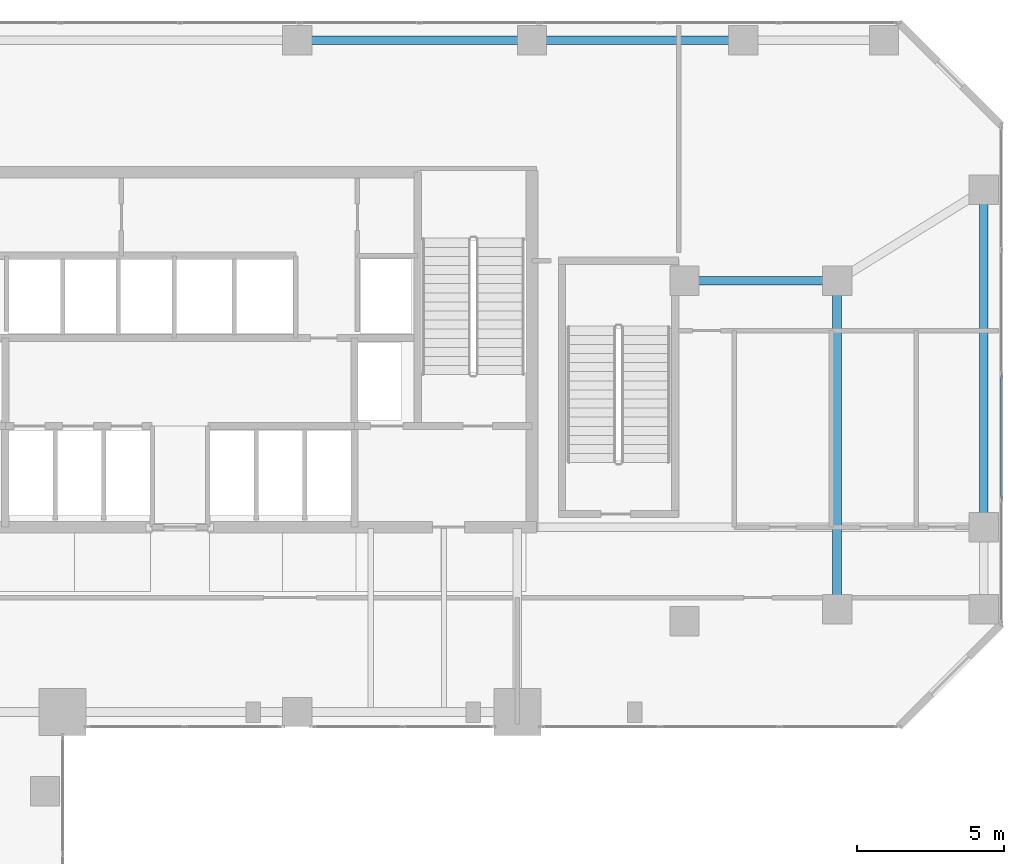
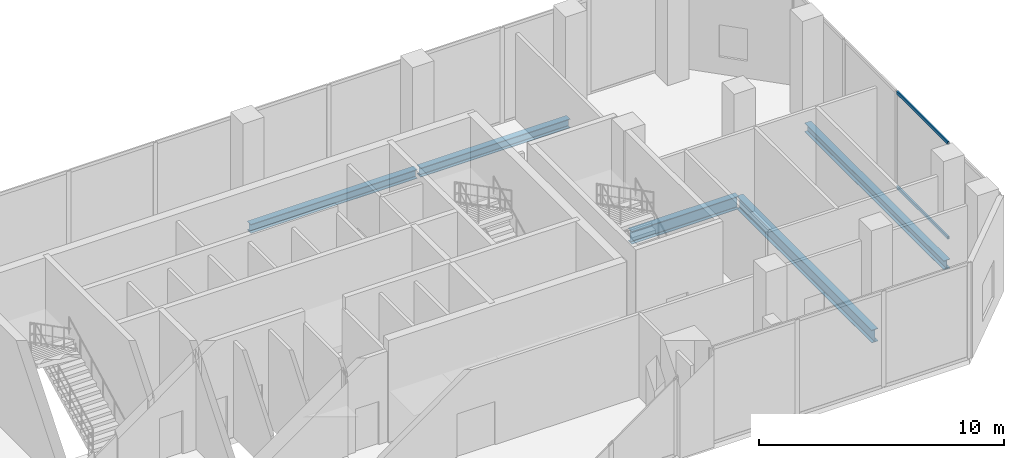
# One storey, part 16 of 24: 5 beams, 2 members, 1 element without a shape of its own.
"""IFC4 building model written with IfcOpenShell, lengths in metres."""

from ifc_helpers import new_model, si_unit, direction, frame, origin, origin_2d, place, context, subcontext, project, spatial, hollow_rectangle, i_section, extrude, material, layer, layer_set, material_profile, profile_set, type_object, element, aggregate, save


model = new_model("IFC4")

# Units and contexts
model_context = context("Model", 3, precision=1e-05, world=origin(), true_north=direction((0.0, 1.0)))
body_context = subcontext(model_context, "Body", "Model", "MODEL_VIEW")
ifc_project = project(units=[si_unit("LENGTHUNIT", "METRE"), si_unit("AREAUNIT", "SQUARE_METRE"), si_unit("VOLUMEUNIT", "CUBIC_METRE"), si_unit("PLANEANGLEUNIT", "RADIAN"), si_unit("MASSUNIT", "GRAM", prefix="KILO")], contexts=[model_context])

# Site, building, storey
site_placement = place(None, origin())
site = spatial("IfcSite", under=ifc_project, at=site_placement, CompositionType="ELEMENT")
building_placement = place(site_placement, origin())
building = spatial("IfcBuilding", under=site, at=building_placement, Name="Catumbela Crestline Tower", CompositionType="ELEMENT")
storey_placement = place(building_placement, frame((0.0, 0.0, 6.0)))
storey = spatial("IfcBuildingStorey", under=building, at=storey_placement, Name="L01", CompositionType="ELEMENT", Elevation=6.0)

# Beams
ifc_material_1 = material(Name="Structural steel S355J2", Category="steel")
ifc_material_profile_1 = material_profile(ifc_material_1, i_section(OverallWidth=0.3, OverallDepth=0.64, WebThickness=0.0135, FlangeThickness=0.026, FilletRadius=0.027, at=origin_2d()), Name="HEA 650")
ifc_profile_set_1 = profile_set([ifc_material_profile_1], Name="Structural steel S355J2")
beam_type_1 = type_object("IfcBeamType", Name="BG-HEA650", PredefinedType="BEAM", material=ifc_profile_set_1)
beam_1_placement = place(storey_placement, frame((45.28, 39.2, -0.64), z_axis=(1.0, 0.0, 0.0), x_axis=(0.0, 1.0, 0.0)))
element("IfcBeam", 1, at=beam_1_placement, inside=storey, type_object=beam_type_1, Name="L01 Beam BM-L01-N15", PredefinedType="BEAM", context=body_context, shape_type="SweptSolid", body=[
    extrude(i_section(OverallWidth=0.3, OverallDepth=0.64, WebThickness=0.0135, FlangeThickness=0.026, FilletRadius=0.027, at=origin_2d()), origin(), (0.0, 0.0, 1.0), 5.04),
])
beam_2_placement = place(storey_placement, frame((50.4, 28.08, -0.64), z_axis=(0.0, 1.0, 0.0), x_axis=(-1.0, 0.0, 0.0)))
element("IfcBeam", 2, at=beam_2_placement, inside=storey, type_object=beam_type_1, Name="L01 Beam BM-L01-SN34", PredefinedType="BEAM", context=body_context, shape_type="SweptSolid", body=[
    extrude(i_section(OverallWidth=0.3, OverallDepth=0.64, WebThickness=0.0135, FlangeThickness=0.026, FilletRadius=0.027, at=origin_2d()), origin(), (0.0, 0.0, 1.0), 11.04),
])
ifc_material_profile_2 = material_profile(ifc_material_1, i_section(OverallWidth=0.3, OverallDepth=0.45, WebThickness=0.014, FlangeThickness=0.026, FilletRadius=0.027, at=origin_2d()), Name="HEB 450")
ifc_profile_set_2 = profile_set([ifc_material_profile_2], Name="Structural steel S355J2")
beam_type_2 = type_object("IfcBeamType", Name="BS-HEB450", PredefinedType="SPANDREL", material=ifc_profile_set_2)
beam_3_placement = place(storey_placement, frame((32.08, 47.4, -0.545), z_axis=(1.0, 0.0, 0.0), x_axis=(0.0, 1.0, 0.0)))
element("IfcBeam", 3, at=beam_3_placement, inside=storey, type_object=beam_type_2, Name="L01 Spandrel SP-L01-NF20", PredefinedType="SPANDREL", context=body_context, shape_type="SweptSolid", body=[
    extrude(i_section(OverallWidth=0.3, OverallDepth=0.45, WebThickness=0.014, FlangeThickness=0.026, FilletRadius=0.027, at=origin_2d()), origin(), (0.0, 0.0, 1.0), 7.84),
])
beam_4_placement = place(storey_placement, frame((40.08, 47.4, -0.545), z_axis=(1.0, 0.0, 0.0), x_axis=(0.0, 1.0, 0.0)))
element("IfcBeam", 4, at=beam_4_placement, inside=storey, type_object=beam_type_2, Name="L01 Spandrel SP-L01-NF21", PredefinedType="SPANDREL", context=body_context, shape_type="SweptSolid", body=[
    extrude(i_section(OverallWidth=0.3, OverallDepth=0.45, WebThickness=0.014, FlangeThickness=0.026, FilletRadius=0.027, at=origin_2d()), origin(), (0.0, 0.0, 1.0), 7.04),
])
beam_5_placement = place(storey_placement, frame((55.4, 30.88, -0.545), z_axis=(0.0, 1.0, 0.0), x_axis=(-1.0, 0.0, 0.0)))
element("IfcBeam", 5, at=beam_5_placement, inside=storey, type_object=beam_type_2, Name="L01 Spandrel SP-L01-SN36", PredefinedType="SPANDREL", context=body_context, shape_type="SweptSolid", body=[
    extrude(i_section(OverallWidth=0.3, OverallDepth=0.45, WebThickness=0.014, FlangeThickness=0.026, FilletRadius=0.027, at=origin_2d()), origin(), (0.0, 0.0, 1.0), 11.34),
])

# Curtain wall, members
ifc_material_2 = material(Name="Aluminium alloy AW-6060-T66", Category="aluminium")
ifc_layer = layer(ifc_material_2, 0.18, Name="Aluminium alloy AW-6060-T66")
ifc_layer_set = layer_set([ifc_layer], Name="Aluminium alloy AW-6060-T66")
curtain_wall_type = type_object("IfcCurtainWallType", Name="CWS-POD", PredefinedType="USERDEFINED", material=ifc_layer_set)
curtain_wall_placement = place(storey_placement, origin())
curtain_wall = element("IfcCurtainWall", 6, at=curtain_wall_placement, inside=storey, type_object=curtain_wall_type, Name="L01 Stick Curtain Wall CW-L01-E5S1", ObjectType="STICK", PredefinedType="USERDEFINED")
ifc_material_profile_3 = material_profile(ifc_material_2, hollow_rectangle(XDim=0.075, YDim=0.15, WallThickness=0.0045, at=origin_2d()), Name="ALU 150x75x4.5")
ifc_profile_set_3 = profile_set([ifc_material_profile_3], Name="Aluminium alloy AW-6060-T66")
member_type = type_object("IfcMemberType", Name="TRN-150X75", PredefinedType="USERDEFINED", material=ifc_profile_set_3)
member_1_placement = place(storey_placement, frame((56.0, 31.7825, 0.03), z_axis=(0.0, 1.0, 0.0), x_axis=(-1.0, 0.0, 0.0)))
member_1 = element("IfcMember", 7, at=member_1_placement, type_object=member_type, Name="CWS-POD transom 2.1", ObjectType="TRANSOM", PredefinedType="USERDEFINED", context=body_context, shape_type="SweptSolid", body=[
    extrude(hollow_rectangle(XDim=0.075, YDim=0.15, WallThickness=0.0045, at=origin_2d()), origin(), (0.0, 0.0, 1.0), 4.185),
])
member_2_placement = place(storey_placement, frame((56.0, 31.7825, 4.74), z_axis=(0.0, 1.0, 0.0), x_axis=(-1.0, 0.0, 0.0)))
member_2 = element("IfcMember", 8, at=member_2_placement, type_object=member_type, Name="CWS-POD transom 2.2", ObjectType="TRANSOM", PredefinedType="USERDEFINED", context=body_context, shape_type="SweptSolid", body=[
    extrude(hollow_rectangle(XDim=0.075, YDim=0.15, WallThickness=0.0045, at=origin_2d()), origin(), (0.0, 0.0, 1.0), 4.185),
])
aggregate(curtain_wall, [member_1, member_2])

save(model, "model.ifc")
